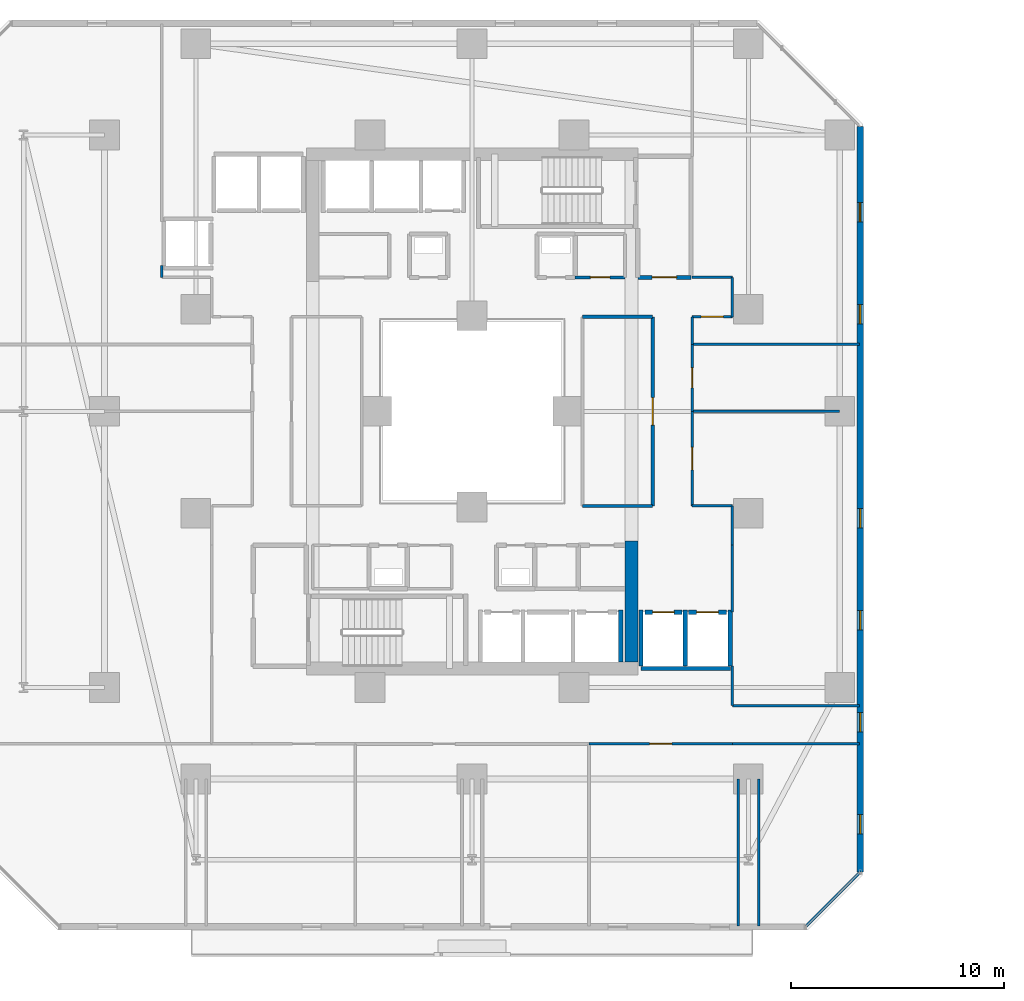
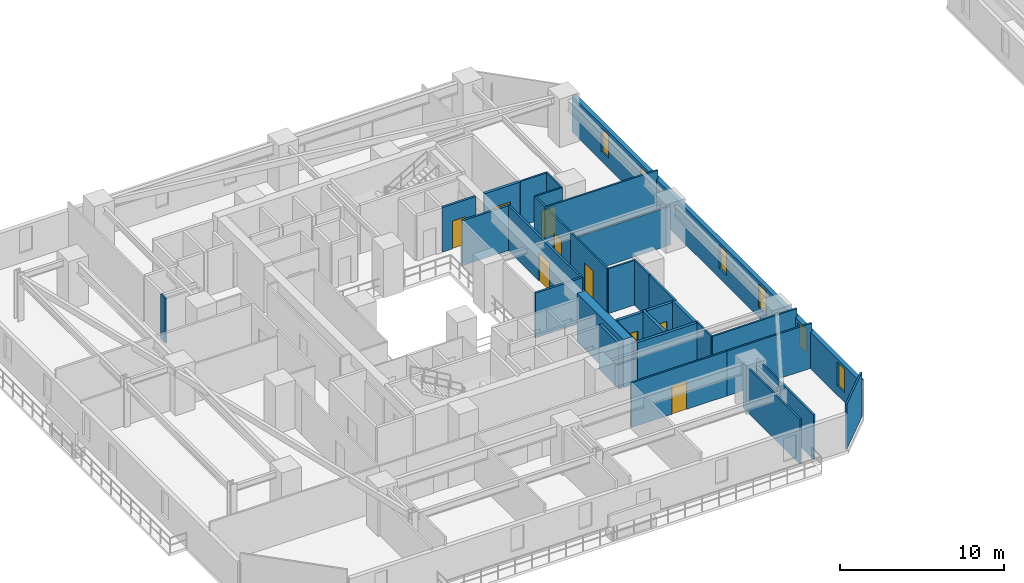
# One storey, part 20 of 33: 33 walls, 9 doors, 6 windows, 15 openings.
"""IFC4 building model written with IfcOpenShell, lengths in metres."""

import ifcopenshell
import ifcopenshell.guid

model = None  # the IFC model being written
_history = None  # IfcOwnerHistory: only IFC2X3 demands one
_inside = {}  # id of a spatial element -> (the spatial element, [elements in it])
_under = {}  # id of a project, library or spatial element -> (it, [spatial elements below it])
_declared = {}  # id of a project -> (the project, [libraries it declares])
_typed = {}  # id of a type object -> (the type object, [elements of that type])
_made_of = {}  # id of a material, layer set ... -> (it, [elements and type objects made of it])


def new_model(schema):
    """Start an empty IFC model of exactly this schema.

    Asked for "IFC4X3", IfcOpenShell would pick the latest addendum, in which some entities
    have other attributes; the version numbers below select the first issue.
    IFC2X3 requires an IfcOwnerHistory on every rooted entity: one is made here for all.
    """
    global model, _history
    if schema == "IFC4X3":
        model = ifcopenshell.file(schema_version=(4, 3, 0, 0))
    else:
        model = ifcopenshell.file(schema=schema)
    _inside.clear()
    _under.clear()
    _declared.clear()
    _typed.clear()
    _made_of.clear()
    _history = None
    if model.schema == "IFC2X3":
        org = make("IfcOrganization", Name="unknown")
        user = make(
            "IfcPersonAndOrganization",
            ThePerson=make("IfcPerson", FamilyName="unknown"),
            TheOrganization=org,
        )
        app = make(
            "IfcApplication",
            ApplicationDeveloper=org,
            Version="unknown",
            ApplicationFullName="unknown",
            ApplicationIdentifier="unknown",
        )
        _history = make(
            "IfcOwnerHistory",
            OwningUser=user,
            OwningApplication=app,
            ChangeAction="ADDED",
            CreationDate=0,
        )
    return model


def make(cls, **values):
    """One entity of the class cls with the attributes given. An attribute that is None is left unset."""
    return model.create_entity(
        cls, **{name: value for name, value in values.items() if value is not None}
    )


def rooted(cls, **values):
    """An entity with a GlobalId (a new one), such as an element, a storey or a relation."""
    return make(cls, GlobalId=ifcopenshell.guid.new(), OwnerHistory=_history, **values)


def si_unit(unit_type, name, prefix=None):
    """IfcSIUnit, for example si_unit("LENGTHUNIT", "METRE", prefix="MILLI")."""
    return make("IfcSIUnit", UnitType=unit_type, Prefix=prefix, Name=name)


def assignment(units):
    """IfcUnitAssignment: the units of a project."""
    return None if units is None else make("IfcUnitAssignment", Units=units)


def point(xyz):
    """IfcCartesianPoint."""
    return None if xyz is None else make("IfcCartesianPoint", Coordinates=xyz)


def direction(xyz):
    """IfcDirection."""
    return None if xyz is None else make("IfcDirection", DirectionRatios=xyz)


def frame(location, z_axis=None, x_axis=None):
    """IfcAxis2Placement3D, a coordinate frame: its origin and axes. An axis left out is left unset."""
    return make(
        "IfcAxis2Placement3D",
        Location=point(location),
        Axis=direction(z_axis),
        RefDirection=direction(x_axis),
    )


def frame_2d(location, x_axis=None):
    """IfcAxis2Placement2D, a coordinate frame in the plane: its origin and x axis."""
    return make(
        "IfcAxis2Placement2D", Location=point(location), RefDirection=direction(x_axis)
    )


def origin():
    """The frame at (0, 0, 0) with its axes left unset."""
    return frame((0.0, 0.0, 0.0))


def place(relative_to, where):
    """IfcLocalPlacement: puts the frame where relative to a parent placement (None: the world)."""
    return make(
        "IfcLocalPlacement", PlacementRelTo=relative_to, RelativePlacement=where
    )


def context(
    kind, dimensions, precision=None, world=None, true_north=None, identifier=None
):
    """IfcGeometricRepresentationContext, for example the 3D "Model" context."""
    return make(
        "IfcGeometricRepresentationContext",
        ContextIdentifier=identifier,
        ContextType=kind,
        CoordinateSpaceDimension=dimensions,
        Precision=precision,
        WorldCoordinateSystem=world,
        TrueNorth=true_north,
    )


def subcontext(parent, identifier, kind, view, scale=None):
    """IfcGeometricRepresentationSubContext, for example "Body" below "Model"."""
    return make(
        "IfcGeometricRepresentationSubContext",
        ContextIdentifier=identifier,
        ContextType=kind,
        ParentContext=parent,
        TargetScale=scale,
        TargetView=view,
    )


def project(units=None, contexts=None):
    """IfcProject with its units and contexts."""
    return rooted(
        "IfcProject",
        Name="project",
        RepresentationContexts=contexts,
        UnitsInContext=assignment(units),
    )


def spatial(cls, under=None, at=None, **own):
    """A site, building, storey or space (cls), placed at a placement, below another one or the project."""
    s = rooted(cls, ObjectPlacement=at, **own)
    if under is not None:
        _under.setdefault(under.id(), (under, []))[1].append(s)
    return s


def profile(cls, at=None, kind="AREA", **sizes):
    """A parametric profile (cls). Its sizes go by their IFC names, for example OverallWidth=200.0."""
    return make(cls, ProfileType=kind, Position=at, **sizes)


def rectangle(**sizes):
    """IfcRectangleProfileDef."""
    return profile("IfcRectangleProfileDef", **sizes)


def extrude(swept, where, along, depth):
    """IfcExtrudedAreaSolid: the profile swept, set in the frame where, extruded along a direction by depth."""
    return make(
        "IfcExtrudedAreaSolid",
        SweptArea=swept,
        Position=where,
        ExtrudedDirection=direction(along),
        Depth=depth,
    )


def shape(context_of_items, identifier, shape_type, items):
    """IfcShapeRepresentation: the items that make up one representation, for example the "Body"."""
    return make(
        "IfcShapeRepresentation",
        ContextOfItems=context_of_items,
        RepresentationIdentifier=identifier,
        RepresentationType=shape_type,
        Items=items,
    )


def material(Name=None, Category=None):
    """IfcMaterial."""
    return make("IfcMaterial", Name=Name, Category=Category)


def layer(
    of_material, thickness, ventilated=None, Name=None, Category=None, Priority=None
):
    """IfcMaterialLayer: one layer of a wall or slab, of a material (None: an air gap)."""
    return make(
        "IfcMaterialLayer",
        Material=of_material,
        LayerThickness=thickness,
        IsVentilated=ventilated,
        Name=Name,
        Category=Category,
        Priority=Priority,
    )


def layer_set(layers, Name=None):
    """IfcMaterialLayerSet."""
    return make("IfcMaterialLayerSet", MaterialLayers=layers, LayerSetName=Name)


def made_of(thing, what):
    """Note that an element or type object is made of a material, layer set ...; save() writes the relation."""
    if what is not None:
        _made_of.setdefault(what.id(), (what, []))[1].append(thing)
    return thing


def type_object(cls, material=None, **own):
    """A type object (cls), such as IfcWallType, which elements share."""
    return made_of(rooted(cls, **own), material)


def element(
    cls,
    number,
    at=None,
    inside=None,
    cuts=None,
    type_object=None,
    material=None,
    context=None,
    identifier="Body",
    shape_type=None,
    held_by="IfcProductDefinitionShape",
    body=None,
    shapes=None,
    **own,
):
    """One element of the class cls, such as IfcWall. Its Tag is "e" and its number.

    at: its placement. inside: the storey or other place that contains it. cuts: it is an
    opening in that element (IfcRelVoidsElement). A single representation is given by context,
    identifier, shape_type and body (its items); several are given by shapes. held_by: the class
    of the entity that holds the representations. save() writes the other relations.
    """
    e = rooted(cls, Tag="e%d" % number, ObjectPlacement=at, **own)
    if body is not None:
        shapes = [shape(context, identifier, shape_type, body)]
    if shapes is not None:
        e.Representation = make(held_by, Representations=shapes)
    if inside is not None:
        _inside.setdefault(inside.id(), (inside, []))[1].append(e)
    if cuts is not None:
        rooted(
            "IfcRelVoidsElement", RelatingBuildingElement=cuts, RelatedOpeningElement=e
        )
    if type_object is not None:
        _typed.setdefault(type_object.id(), (type_object, []))[1].append(e)
    return made_of(e, material)


def fill(opening, filler):
    """IfcRelFillsElement: the door or window that sits in an opening."""
    return rooted(
        "IfcRelFillsElement",
        RelatingOpeningElement=opening,
        RelatedBuildingElement=filler,
    )


def aggregate(whole, parts):
    """IfcRelAggregates: a whole, such as a stair, and the parts it consists of."""
    return rooted("IfcRelAggregates", RelatingObject=whole, RelatedObjects=parts)


def save(model, path):
    """Write the relations noted so far, then the file.

    IfcRelAggregates (storeys below a building ...), IfcRelContainedInSpatialStructure (elements
    in a storey), IfcRelDefinesByType, IfcRelAssociatesMaterial and IfcRelDeclares: one each for
    every whole, place, type object, material and project.
    """
    for whole, parts in _under.values():
        aggregate(whole, parts)
    for where, things in _inside.values():
        rooted(
            "IfcRelContainedInSpatialStructure",
            RelatedElements=things,
            RelatingStructure=where,
        )
    for kind, things in _typed.values():
        rooted("IfcRelDefinesByType", RelatedObjects=things, RelatingType=kind)
    for what, things in _made_of.values():
        rooted("IfcRelAssociatesMaterial", RelatedObjects=things, RelatingMaterial=what)
    for by, libraries in _declared.values():
        rooted("IfcRelDeclares", RelatingContext=by, RelatedDefinitions=libraries)
    model.write(path)


model = new_model("IFC4")

# Units and contexts
model_context = context("Model", 3, precision=1e-05, world=origin(), true_north=direction((0.0, 1.0)))
body_context = subcontext(model_context, "Body", "Model", "MODEL_VIEW")
ifc_project = project(units=[si_unit("LENGTHUNIT", "METRE"), si_unit("AREAUNIT", "SQUARE_METRE"), si_unit("VOLUMEUNIT", "CUBIC_METRE"), si_unit("PLANEANGLEUNIT", "RADIAN"), si_unit("MASSUNIT", "GRAM", prefix="KILO")], contexts=[model_context])

# Site, building, storey
site_placement = place(None, origin())
site = spatial("IfcSite", under=ifc_project, at=site_placement, CompositionType="ELEMENT")
building_placement = place(site_placement, origin())
building = spatial("IfcBuilding", under=site, at=building_placement, Name="Thornwick Lancets Civic Towers", CompositionType="ELEMENT")
storey_placement = place(building_placement, frame((0.0, 0.0, 42.300048828125)))
storey = spatial("IfcBuildingStorey", under=building, at=storey_placement, Name="L10", CompositionType="ELEMENT", Elevation=42.300048828125)

# Wall, opening, door
ifc_material_1 = material(Name="Concrete blockwork C40/50", Category="masonry")
ifc_layer_1 = layer(ifc_material_1, 0.199951171875, Name="Concrete blockwork C40/50")
ifc_layer_set_1 = layer_set([ifc_layer_1], Name="Concrete blockwork C40/50")
wall_type_1 = type_object("IfcWallType", Name="WALL_COMP_200", PredefinedType="STANDARD", material=ifc_layer_set_1)
wall_1_placement = place(storey_placement, frame((33.6298828125, 17.550048828125, 0.0), z_axis=(0.0, 0.0, 1.0), x_axis=(1.0, 0.0, 0.0)))
wall_1 = element("IfcWall", 1, at=wall_1_placement, inside=storey, type_object=wall_type_1, Name="L10 Hoistway Front Wall PL-AL2", PredefinedType="STANDARD", context=body_context, shape_type="SweptSolid", body=[
    extrude(rectangle(XDim=1.740234375, YDim=0.199951171875, at=frame_2d((0.8701171875, 0.0))), origin(), (0.0, 0.0, 1.0), 3.33984375),
])
opening_1_placement = place(wall_1_placement, frame((0.360107421875, 0.0, 0.0)))
opening_1 = element("IfcOpeningElement", 2, at=opening_1_placement, cuts=wall_1, Name="Opening LD-PL-AL2", PredefinedType="OPENING", context=body_context, shape_type="SweptSolid", body=[
    extrude(rectangle(XDim=1.02001953125, YDim=2.06005859375, at=frame_2d((0.510009765625, 1.030029296875))), frame((0.0, 0.10986328125, 0.0), z_axis=(0.0, -1.0, 0.0), x_axis=(1.0, 0.0, 0.0)), (0.0, 0.0, 1.0), 0.219970703125),
])
ifc_material_2 = material(Name="Brushed bronze stainless steel", Category="steel")
door_type_1 = type_object("IfcDoorType", Name="DOOR_LIFT_SLIDE", OperationType="SLIDING_TO_LEFT", PredefinedType="DOOR", material=ifc_material_2)
door_1_placement = place(opening_1_placement, origin())
door_1 = element("IfcDoor", 3, at=door_1_placement, inside=storey, type_object=door_type_1, Name="L10 Sliding Lift Landing Door LD-PL-AL2", OperationType="SLIDING_TO_LEFT", OverallHeight=2.06005859375, OverallWidth=1.02001953125, PredefinedType="DOOR", context=body_context, shape_type="SweptSolid", body=[
    extrude(rectangle(XDim=1.02001953125, YDim=2.06005859375, at=frame_2d((0.510009765625, 1.030029296875))), frame((0.0, 0.02490234375, 0.0), z_axis=(0.0, -1.0, 0.0), x_axis=(1.0, 0.0, 0.0)), (0.0, 0.0, 1.0), 0.050048828125),
])
fill(opening_1, door_1)

wall_2_placement = place(storey_placement, frame((35.679931640625, 17.550048828125, 0.0), z_axis=(0.0, 0.0, 1.0), x_axis=(1.0, 0.0, 0.0)))
wall_2 = element("IfcWall", 4, at=wall_2_placement, inside=storey, type_object=wall_type_1, Name="L10 Hoistway Front Wall PL-AL3", PredefinedType="STANDARD", context=body_context, shape_type="SweptSolid", body=[
    extrude(rectangle(XDim=1.7900390625, YDim=0.199951171875, at=frame_2d((0.89501953125, 0.0))), origin(), (0.0, 0.0, 1.0), 3.33984375),
])
opening_2_placement = place(wall_2_placement, frame((0.385009765625, 0.0, 0.0)))
opening_2 = element("IfcOpeningElement", 5, at=opening_2_placement, cuts=wall_2, Name="Opening LD-PL-AL3", PredefinedType="OPENING", context=body_context, shape_type="SweptSolid", body=[
    extrude(rectangle(XDim=1.02001953125, YDim=2.06005859375, at=frame_2d((0.510009765625, 1.030029296875))), frame((0.0, 0.10986328125, 0.0), z_axis=(0.0, -1.0, 0.0), x_axis=(1.0, 0.0, 0.0)), (0.0, 0.0, 1.0), 0.219970703125),
])
door_2_placement = place(opening_2_placement, origin())
door_2 = element("IfcDoor", 6, at=door_2_placement, inside=storey, type_object=door_type_1, Name="L10 Sliding Lift Landing Door LD-PL-AL3", OperationType="SLIDING_TO_LEFT", OverallHeight=2.06005859375, OverallWidth=1.02001953125, PredefinedType="DOOR", context=body_context, shape_type="SweptSolid", body=[
    extrude(rectangle(XDim=1.02001953125, YDim=2.06005859375, at=frame_2d((0.510009765625, 1.030029296875))), frame((0.0, 0.02490234375, 0.0), z_axis=(0.0, -1.0, 0.0), x_axis=(1.0, 0.0, 0.0)), (0.0, 0.0, 1.0), 0.050048828125),
])
fill(opening_2, door_2)

# Walls
wall_3_placement = place(storey_placement, frame((32.5, 15.2119140625, 0.0), z_axis=(0.0, 0.0, 1.0), x_axis=(0.0, 1.0, 0.0)))
element("IfcWall", 7, at=wall_3_placement, inside=storey, type_object=wall_type_1, Name="L10 Hoistway Shaft Wall PL-AL1 E", PredefinedType="STANDARD", context=body_context, shape_type="SweptSolid", body=[
    extrude(rectangle(XDim=2.43603515625, YDim=0.199951171875, at=frame_2d((1.218017578125, 0.0))), origin(), (0.0, 0.0, 1.0), 3.33984375),
])
wall_4_placement = place(storey_placement, frame((33.451904296875, 14.89990234375, 0.0), z_axis=(0.0, 0.0, 1.0), x_axis=(1.0, 0.0, 0.0)))
element("IfcWall", 8, at=wall_4_placement, inside=storey, type_object=wall_type_1, Name="L10 Hoistway Shaft Wall PL-AL2 S", PredefinedType="STANDARD", context=body_context, shape_type="SweptSolid", body=[
    extrude(rectangle(XDim=4.196044921875, YDim=0.199951171875, at=frame_2d((2.09814453125, 0.0))), origin(), (0.0, 0.0, 1.0), 3.33984375),
])
for number, where, z_axis, x_axis, name in (
    (9, (35.52490234375, 15.011962890625, 0.0), (0.0, 0.0, 1.0), (0.0, 1.0, 0.0), "L10 Hoistway Shaft Wall PL-AL2 E"),
    (10, (33.449951171875, 15.011962890625, 0.0), (0.0, 0.0, 1.0), (0.0, 1.0, 0.0), "L10 Hoistway Shaft Wall PL-AL2 W"),
    (11, (37.64990234375, 15.011962890625, 0.0), (0.0, 0.0, 1.0), (0.0, 1.0, 0.0), "L10 Hoistway Shaft Wall PL-AL3 E"),
):
    element("IfcWall", number, at=place(storey_placement, frame(where, z_axis=z_axis, x_axis=x_axis)), inside=storey, type_object=wall_type_1, Name=name, PredefinedType="STANDARD", context=body_context, shape_type="SweptSolid", body=[
        extrude(rectangle(XDim=2.635986328125, YDim=0.199951171875, at=frame_2d((1.31787109375, 0.0))), origin(), (0.0, 0.0, 1.0), 3.33984375),
    ])

# Wall, opening, door
wall_5_placement = place(storey_placement, frame((33.300048828125, 33.300048828125, 0.0), z_axis=(0.0, 0.0, 1.0), x_axis=(1.0, 0.0, 0.0)))
wall_5 = element("IfcWall", 12, at=wall_5_placement, inside=storey, type_object=wall_type_1, Name="L10 Partition L10-A-FFLOB2 E1", PredefinedType="STANDARD", context=body_context, shape_type="SweptSolid", body=[
    extrude(rectangle(XDim=2.5, YDim=0.199951171875, at=frame_2d((1.25, 0.0))), origin(), (0.0, 0.0, 1.0), 3.33984375),
])
opening_3_placement = place(wall_5_placement, frame((0.675048828125, 0.0, 0.0)))
opening_3 = element("IfcOpeningElement", 13, at=opening_3_placement, cuts=wall_5, Name="Opening D-L10-0488", PredefinedType="OPENING", context=body_context, shape_type="SweptSolid", body=[
    extrude(rectangle(XDim=1.14990234375, YDim=2.10009765625, at=frame_2d((0.574951171875, 1.050048828125))), frame((0.0, 0.10986328125, 0.0), z_axis=(0.0, -1.0, 0.0), x_axis=(1.0, 0.0, 0.0)), (0.0, 0.0, 1.0), 0.219970703125),
])
ifc_material_3 = material(Name="Glazed fire-resisting steel", Category="steel")
door_type_2 = type_object("IfcDoorType", Name="DOOR_LOBBY_FD60", OperationType="NOTDEFINED", PredefinedType="DOOR", material=ifc_material_3)
door_3_placement = place(opening_3_placement, origin())
door_3 = element("IfcDoor", 14, at=door_3_placement, inside=storey, type_object=door_type_2, Name="L10 North Firefighting Lobby 2 Door", OperationType="SINGLE_SWING_LEFT", OverallHeight=2.10009765625, OverallWidth=1.14990234375, PredefinedType="DOOR", context=body_context, shape_type="SweptSolid", body=[
    extrude(rectangle(XDim=1.14990234375, YDim=2.10009765625, at=frame_2d((0.574951171875, 1.050048828125))), frame((0.0, 0.02490234375, 0.0), z_axis=(0.0, -1.0, 0.0), x_axis=(1.0, 0.0, 0.0)), (0.0, 0.0, 1.0), 0.050048828125),
])
fill(opening_3, door_3)

# Wall
ifc_material_4 = material(Name="Concrete C60/75", Category="concrete")
ifc_layer_2 = layer(ifc_material_4, 0.60009765625, Name="Concrete C60/75")
ifc_layer_set_2 = layer_set([ifc_layer_2], Name="Concrete C60/75")
wall_type_2 = type_object("IfcWallType", Name="WALL_CORE_600", PredefinedType="SHEAR", material=ifc_layer_set_2)
wall_6_placement = place(storey_placement, frame((33.0, 15.199951171875, 0.0), z_axis=(0.0, 0.0, 1.0), x_axis=(0.0, 1.0, 0.0)))
element("IfcWall", 15, at=wall_6_placement, inside=storey, type_object=wall_type_2, Name="L10 Split Core A1 Shear Wall E", PredefinedType="SHEAR", context=body_context, shape_type="SweptSolid", body=[
    extrude(rectangle(XDim=5.699951171875, YDim=0.60009765625, at=frame_2d((2.85009765625, 0.0))), origin(), (0.0, 0.0, 1.0), 3.599853515625),
])

# Wall, openings, windows
ifc_material_5 = material(Name="Insulated russet terracotta rainscreen on concrete C40/50", Category="masonry")
ifc_layer_3 = layer(ifc_material_5, 0.300048828125, Name="Insulated russet terracotta rainscreen on concrete C40/50")
ifc_layer_set_3 = layer_set([ifc_layer_3], Name="Insulated russet terracotta rainscreen on concrete C40/50")
wall_type_3 = type_object("IfcWallType", Name="WALL_EXT_RUSSET_300", PredefinedType="STANDARD", material=ifc_layer_set_3)
wall_7_placement = place(storey_placement, frame((43.764892578125, 5.31884765625, 0.0), z_axis=(0.0, 0.0, 1.0), x_axis=(-0.000208784245, 0.999999978205, 0.0)))
wall_7 = element("IfcWall", 16, at=wall_7_placement, inside=storey, type_object=wall_type_3, Name="L10 Tower A Terracotta Facade Wall E2", PredefinedType="STANDARD", context=body_context, shape_type="SweptSolid", body=[
    extrude(rectangle(XDim=35.080322265625, YDim=0.300048828125, at=frame_2d((17.5400390625, 0.0))), origin(), (0.0, 0.0, 1.0), 2.699951171875),
])
opening_4_placement = place(wall_7_placement, frame((1.800048828125, 0.0, 0.719970703125)))
opening_4 = element("IfcOpeningElement", 17, at=opening_4_placement, cuts=wall_7, Name="Opening WL-01", PredefinedType="OPENING", context=body_context, shape_type="SweptSolid", body=[
    extrude(rectangle(XDim=0.89990234375, YDim=1.75, at=frame_2d((0.449951171875, 0.875))), frame((0.0, 0.16015625, 0.0), z_axis=(0.0, -1.0, 0.0), x_axis=(1.0, 0.0, 0.0)), (0.0, 0.0, 1.0), 0.320068359375),
])
opening_5_placement = place(wall_7_placement, frame((6.60009765625, 0.0, 0.719970703125)))
opening_5 = element("IfcOpeningElement", 18, at=opening_5_placement, cuts=wall_7, Name="Opening WL-01", PredefinedType="OPENING", context=body_context, shape_type="SweptSolid", body=[
    extrude(rectangle(XDim=0.89990234375, YDim=1.75, at=frame_2d((0.449951171875, 0.875))), frame((0.0, 0.16015625, 0.0), z_axis=(0.0, -1.0, 0.0), x_axis=(1.0, 0.0, 0.0)), (0.0, 0.0, 1.0), 0.320068359375),
])
opening_6_placement = place(wall_7_placement, frame((11.39990234375, 0.0, 0.719970703125)))
opening_6 = element("IfcOpeningElement", 19, at=opening_6_placement, cuts=wall_7, Name="Opening WL-01", PredefinedType="OPENING", context=body_context, shape_type="SweptSolid", body=[
    extrude(rectangle(XDim=0.89990234375, YDim=1.75, at=frame_2d((0.449951171875, 0.875))), frame((0.0, 0.16015625, 0.0), z_axis=(0.0, -1.0, 0.0), x_axis=(1.0, 0.0, 0.0)), (0.0, 0.0, 1.0), 0.320068359375),
])
opening_7_placement = place(wall_7_placement, frame((16.199951171875, 0.0, 0.719970703125)))
opening_7 = element("IfcOpeningElement", 20, at=opening_7_placement, cuts=wall_7, Name="Opening WL-01", PredefinedType="OPENING", context=body_context, shape_type="SweptSolid", body=[
    extrude(rectangle(XDim=0.89990234375, YDim=1.75, at=frame_2d((0.449951171875, 0.875))), frame((0.0, 0.16015625, 0.0), z_axis=(0.0, -1.0, 0.0), x_axis=(1.0, 0.0, 0.0)), (0.0, 0.0, 1.0), 0.320068359375),
])
opening_8_placement = place(wall_7_placement, frame((25.800048828125, 0.0, 0.719970703125)))
opening_8 = element("IfcOpeningElement", 21, at=opening_8_placement, cuts=wall_7, Name="Opening WL-01", PredefinedType="OPENING", context=body_context, shape_type="SweptSolid", body=[
    extrude(rectangle(XDim=0.89990234375, YDim=1.75, at=frame_2d((0.449951171875, 0.875))), frame((0.0, 0.16015625, 0.0), z_axis=(0.0, -1.0, 0.0), x_axis=(1.0, 0.0, 0.0)), (0.0, 0.0, 1.0), 0.320068359375),
])
opening_9_placement = place(wall_7_placement, frame((30.60009765625, 0.0, 0.719970703125)))
opening_9 = element("IfcOpeningElement", 22, at=opening_9_placement, cuts=wall_7, Name="Opening WL-01", PredefinedType="OPENING", context=body_context, shape_type="SweptSolid", body=[
    extrude(rectangle(XDim=0.89990234375, YDim=1.75, at=frame_2d((0.449951171875, 0.875))), frame((0.0, 0.16015625, 0.0), z_axis=(0.0, -1.0, 0.0), x_axis=(1.0, 0.0, 0.0)), (0.0, 0.0, 1.0), 0.320068359375),
])
ifc_material_6 = material(Name="Clear low-e double glazing in bronze frame", Category="glass")
window_type = type_object("IfcWindowType", Name="WIN_LANCET_900", PartitioningType="SINGLE_PANEL", PredefinedType="WINDOW", material=ifc_material_6)
window_1_placement = place(opening_4_placement, origin())
window_1 = element("IfcWindow", 23, at=window_1_placement, inside=storey, type_object=window_type, Name="L10 Tower A Staggered Lancet Window E2-1", OverallHeight=1.75, OverallWidth=0.89990234375, PartitioningType="SINGLE_PANEL", PredefinedType="WINDOW", context=body_context, shape_type="SweptSolid", body=[
    extrude(rectangle(XDim=0.89990234375, YDim=1.75, at=frame_2d((0.449951171875, 0.875))), frame((0.0, 0.030029296875, 0.0), z_axis=(0.0, -1.0, 0.0), x_axis=(1.0, 0.0, 0.0)), (0.0, 0.0, 1.0), 0.06005859375),
])
fill(opening_4, window_1)
window_2_placement = place(opening_5_placement, origin())
window_2 = element("IfcWindow", 24, at=window_2_placement, inside=storey, type_object=window_type, Name="L10 Tower A Staggered Lancet Window E2-2", OverallHeight=1.75, OverallWidth=0.89990234375, PartitioningType="SINGLE_PANEL", PredefinedType="WINDOW", context=body_context, shape_type="SweptSolid", body=[
    extrude(rectangle(XDim=0.89990234375, YDim=1.75, at=frame_2d((0.449951171875, 0.875))), frame((0.0, 0.030029296875, 0.0), z_axis=(0.0, -1.0, 0.0), x_axis=(1.0, 0.0, 0.0)), (0.0, 0.0, 1.0), 0.06005859375),
])
fill(opening_5, window_2)
window_3_placement = place(opening_6_placement, origin())
window_3 = element("IfcWindow", 25, at=window_3_placement, inside=storey, type_object=window_type, Name="L10 Tower A Staggered Lancet Window E2-3", OverallHeight=1.75, OverallWidth=0.89990234375, PartitioningType="SINGLE_PANEL", PredefinedType="WINDOW", context=body_context, shape_type="SweptSolid", body=[
    extrude(rectangle(XDim=0.89990234375, YDim=1.75, at=frame_2d((0.449951171875, 0.875))), frame((0.0, 0.030029296875, 0.0), z_axis=(0.0, -1.0, 0.0), x_axis=(1.0, 0.0, 0.0)), (0.0, 0.0, 1.0), 0.06005859375),
])
fill(opening_6, window_3)
window_4_placement = place(opening_7_placement, origin())
window_4 = element("IfcWindow", 26, at=window_4_placement, inside=storey, type_object=window_type, Name="L10 Tower A Staggered Lancet Window E2-4", OverallHeight=1.75, OverallWidth=0.89990234375, PartitioningType="SINGLE_PANEL", PredefinedType="WINDOW", context=body_context, shape_type="SweptSolid", body=[
    extrude(rectangle(XDim=0.89990234375, YDim=1.75, at=frame_2d((0.449951171875, 0.875))), frame((0.0, 0.030029296875, 0.0), z_axis=(0.0, -1.0, 0.0), x_axis=(1.0, 0.0, 0.0)), (0.0, 0.0, 1.0), 0.06005859375),
])
fill(opening_7, window_4)
window_5_placement = place(opening_8_placement, origin())
window_5 = element("IfcWindow", 27, at=window_5_placement, inside=storey, type_object=window_type, Name="L10 Tower A Staggered Lancet Window E2-5", OverallHeight=1.75, OverallWidth=0.89990234375, PartitioningType="SINGLE_PANEL", PredefinedType="WINDOW", context=body_context, shape_type="SweptSolid", body=[
    extrude(rectangle(XDim=0.89990234375, YDim=1.75, at=frame_2d((0.449951171875, 0.875))), frame((0.0, 0.030029296875, 0.0), z_axis=(0.0, -1.0, 0.0), x_axis=(1.0, 0.0, 0.0)), (0.0, 0.0, 1.0), 0.06005859375),
])
fill(opening_8, window_5)
window_6_placement = place(opening_9_placement, origin())
window_6 = element("IfcWindow", 28, at=window_6_placement, inside=storey, type_object=window_type, Name="L10 Tower A Staggered Lancet Window E2-6", OverallHeight=1.75, OverallWidth=0.89990234375, PartitioningType="SINGLE_PANEL", PredefinedType="WINDOW", context=body_context, shape_type="SweptSolid", body=[
    extrude(rectangle(XDim=0.89990234375, YDim=1.75, at=frame_2d((0.449951171875, 0.875))), frame((0.0, 0.030029296875, 0.0), z_axis=(0.0, -1.0, 0.0), x_axis=(1.0, 0.0, 0.0)), (0.0, 0.0, 1.0), 0.06005859375),
])
fill(opening_9, window_6)

# Walls
ifc_material_7 = material(Name="Acoustic gypsum board partition")
ifc_layer_4 = layer(ifc_material_7, 0.1201171875, Name="Acoustic gypsum board partition")
ifc_layer_set_4 = layer_set([ifc_layer_4], Name="Acoustic gypsum board partition")
wall_type_4 = type_object("IfcWallType", Name="WALL_PART_120", PredefinedType="PARTITIONING", material=ifc_layer_set_4)
wall_8_placement = place(storey_placement, frame((10.89990234375, 33.862060546875, 0.0), z_axis=(0.0, 0.0, 1.0), x_axis=(0.0, -1.0, 0.0)))
element("IfcWall", 29, at=wall_8_placement, inside=storey, type_object=wall_type_4, Name="L10 Partition L10-A-W3 E9", PredefinedType="PARTITIONING", context=body_context, shape_type="SweptSolid", body=[
    extrude(rectangle(XDim=0.56201171875, YDim=0.1201171875, at=frame_2d((0.281005859375, 0.0))), origin(), (0.0, 0.0, 1.0), 3.33984375),
])
wall_9_placement = place(storey_placement, frame((37.75, 17.550048828125, 0.0), z_axis=(0.0, 0.0, 1.0), x_axis=(0.0, 1.0, 0.0)))
element("IfcWall", 30, at=wall_9_placement, inside=storey, type_object=wall_type_4, Name="L10 Partition L10-A-E1 E1", PredefinedType="PARTITIONING", context=body_context, shape_type="SweptSolid", body=[
    extrude(rectangle(XDim=3.14990234375, YDim=0.1201171875, at=frame_2d((1.574951171875, 0.0))), origin(), (0.0, 0.0, 1.0), 3.33984375),
])
wall_10_placement = place(storey_placement, frame((37.75, 20.699951171875, 0.0), z_axis=(0.0, 0.0, 1.0), x_axis=(0.0, 1.0, 0.0)))
element("IfcWall", 31, at=wall_10_placement, inside=storey, type_object=wall_type_4, Name="L10 Partition L10-A-E1 E2", PredefinedType="PARTITIONING", context=body_context, shape_type="SweptSolid", body=[
    extrude(rectangle(XDim=1.85009765625, YDim=0.1201171875, at=frame_2d((0.925048828125, 0.0))), origin(), (0.0, 0.0, 1.0), 3.33984375),
])
wall_11_placement = place(storey_placement, frame((37.75, 22.550048828125, 0.0), z_axis=(0.0, 0.0, 1.0), x_axis=(-1.0, 0.0, 0.0)))
element("IfcWall", 32, at=wall_11_placement, inside=storey, type_object=wall_type_4, Name="L10 Partition L10-A-E1 E3", PredefinedType="PARTITIONING", context=body_context, shape_type="SweptSolid", body=[
    extrude(rectangle(XDim=1.89990234375, YDim=0.1201171875, at=frame_2d((0.949951171875, 0.0))), origin(), (0.0, 0.0, 1.0), 3.33984375),
])

# Wall, opening, door
wall_12_placement = place(storey_placement, frame((35.85009765625, 22.550048828125, 0.0), z_axis=(0.0, 0.0, 1.0), x_axis=(0.0, 1.0, 0.0)))
wall_12 = element("IfcWall", 33, at=wall_12_placement, inside=storey, type_object=wall_type_4, Name="L10 Partition L10-A-E1 E4", PredefinedType="PARTITIONING", context=body_context, shape_type="SweptSolid", body=[
    extrude(rectangle(XDim=4.449951171875, YDim=0.1201171875, at=frame_2d((2.22509765625, 0.0))), origin(), (0.0, 0.0, 1.0), 3.33984375),
])
opening_10_placement = place(wall_12_placement, frame((1.699951171875, 0.0, 0.0)))
opening_10 = element("IfcOpeningElement", 34, at=opening_10_placement, cuts=wall_12, Name="Opening D-L10-0514", PredefinedType="OPENING", context=body_context, shape_type="SweptSolid", body=[
    extrude(rectangle(XDim=1.050048828125, YDim=2.10009765625, at=frame_2d((0.52490234375, 1.050048828125))), frame((0.0, 0.070068359375, 0.0), z_axis=(0.0, -1.0, 0.0), x_axis=(1.0, 0.0, 0.0)), (0.0, 0.0, 1.0), 0.14013671875),
])
ifc_material_8 = material(Name="Glazed European oak executive doorset")
door_type_3 = type_object("IfcDoorType", Name="DOOR_OFFICE_1050", OperationType="NOTDEFINED", PredefinedType="DOOR", material=ifc_material_8)
door_4_placement = place(opening_10_placement, origin())
door_4 = element("IfcDoor", 35, at=door_4_placement, inside=storey, type_object=door_type_3, Name="L10 Tower A Secretariat Open Office E1 Door", OperationType="SINGLE_SWING_LEFT", OverallHeight=2.10009765625, OverallWidth=1.050048828125, PredefinedType="DOOR", context=body_context, shape_type="SweptSolid", body=[
    extrude(rectangle(XDim=1.050048828125, YDim=2.10009765625, at=frame_2d((0.52490234375, 1.050048828125))), frame((0.0, 0.02490234375, 0.0), z_axis=(0.0, -1.0, 0.0), x_axis=(1.0, 0.0, 0.0)), (0.0, 0.0, 1.0), 0.050048828125),
])
fill(opening_10, door_4)

# Walls
wall_13_placement = place(storey_placement, frame((35.85009765625, 27.0, 0.0), z_axis=(0.0, 0.0, 1.0), x_axis=(1.0, 0.0, 0.0)))
element("IfcWall", 36, at=wall_13_placement, inside=storey, type_object=wall_type_4, Name="L10 Partition L10-A-E1 E5", PredefinedType="PARTITIONING", context=body_context, shape_type="SweptSolid", body=[
    extrude(rectangle(XDim=6.949951171875, YDim=0.1201171875, at=frame_2d((3.47509765625, 0.0))), origin(), (0.0, 0.0, 1.0), 2.881591796875),
])
wall_14_placement = place(storey_placement, frame((43.719970703125, 13.14990234375, 0.0), z_axis=(0.0, 0.0, 1.0), x_axis=(-1.0, 0.0, 0.0)))
element("IfcWall", 37, at=wall_14_placement, inside=storey, type_object=wall_type_4, Name="L10 Partition L10-A-E1 E13", PredefinedType="PARTITIONING", context=body_context, shape_type="SweptSolid", body=[
    extrude(rectangle(XDim=5.969970703125, YDim=0.1201171875, at=frame_2d((2.98486328125, 0.0))), origin(), (0.0, 0.0, 1.0), 3.33984375),
])
wall_15_placement = place(storey_placement, frame((37.75, 13.14990234375, 0.0), z_axis=(0.0, 0.0, 1.0), x_axis=(0.0, 1.0, 0.0)))
element("IfcWall", 38, at=wall_15_placement, inside=storey, type_object=wall_type_4, Name="L10 Partition L10-A-E1 E14", PredefinedType="PARTITIONING", context=body_context, shape_type="SweptSolid", body=[
    extrude(rectangle(XDim=1.862060546875, YDim=0.1201171875, at=frame_2d((0.93115234375, 0.0))), origin(), (0.0, 0.0, 1.0), 3.33984375),
])

# Wall, opening, door
wall_16_placement = place(storey_placement, frame((35.85009765625, 27.0, 0.0), z_axis=(0.0, 0.0, 1.0), x_axis=(0.0, 1.0, 0.0)))
wall_16 = element("IfcWall", 39, at=wall_16_placement, inside=storey, type_object=wall_type_4, Name="L10 Partition L10-A-E2 E3", PredefinedType="PARTITIONING", context=body_context, shape_type="SweptSolid", body=[
    extrude(rectangle(XDim=3.14990234375, YDim=0.1201171875, at=frame_2d((1.574951171875, 0.0))), origin(), (0.0, 0.0, 1.0), 3.33984375),
])
opening_11_placement = place(wall_16_placement, frame((1.10009765625, 0.0, 0.0)))
opening_11 = element("IfcOpeningElement", 40, at=opening_11_placement, cuts=wall_16, Name="Opening D-L10-0515", PredefinedType="OPENING", context=body_context, shape_type="SweptSolid", body=[
    extrude(rectangle(XDim=0.949951171875, YDim=2.10009765625, at=frame_2d((0.47509765625, 1.050048828125))), frame((0.0, 0.070068359375, 0.0), z_axis=(0.0, -1.0, 0.0), x_axis=(1.0, 0.0, 0.0)), (0.0, 0.0, 1.0), 0.14013671875),
])
ifc_material_9 = material(Name="European oak acoustic doorset")
door_type_4 = type_object("IfcDoorType", Name="DOOR_OFFICE_950", OperationType="NOTDEFINED", PredefinedType="DOOR", material=ifc_material_9)
door_5_placement = place(opening_11_placement, origin())
door_5 = element("IfcDoor", 41, at=door_5_placement, inside=storey, type_object=door_type_4, Name="L10 Tower A Visitors Reception and Waiting Door", OperationType="SINGLE_SWING_RIGHT", OverallHeight=2.10009765625, OverallWidth=0.949951171875, PredefinedType="DOOR", context=body_context, shape_type="SweptSolid", body=[
    extrude(rectangle(XDim=0.949951171875, YDim=2.10009765625, at=frame_2d((0.47509765625, 1.050048828125))), frame((0.0, 0.02490234375, 0.0), z_axis=(0.0, -1.0, 0.0), x_axis=(1.0, 0.0, 0.0)), (0.0, 0.0, 1.0), 0.050048828125),
])
fill(opening_11, door_5)

# Wall
wall_17_placement = place(storey_placement, frame((35.85009765625, 30.14990234375, 0.0), z_axis=(0.0, 0.0, 1.0), x_axis=(1.0, 0.0, 0.0)))
element("IfcWall", 42, at=wall_17_placement, inside=storey, type_object=wall_type_4, Name="L10 Partition L10-A-E2 E4", PredefinedType="PARTITIONING", context=body_context, shape_type="SweptSolid", body=[
    extrude(rectangle(XDim=7.869873046875, YDim=0.1201171875, at=frame_2d((3.93505859375, 0.0))), origin(), (0.0, 0.0, 1.0), 3.33984375),
])

# Wall, opening, door
wall_18_placement = place(storey_placement, frame((35.85009765625, 31.449951171875, 0.0), z_axis=(0.0, 0.0, 1.0), x_axis=(1.0, 0.0, 0.0)))
wall_18 = element("IfcWall", 43, at=wall_18_placement, inside=storey, type_object=wall_type_4, Name="L10 Partition L10-A-E3 E1", PredefinedType="PARTITIONING", context=body_context, shape_type="SweptSolid", body=[
    extrude(rectangle(XDim=1.89990234375, YDim=0.1201171875, at=frame_2d((0.949951171875, 0.0))), origin(), (0.0, 0.0, 1.0), 3.33984375),
])
opening_12_placement = place(wall_18_placement, frame((0.425048828125, 0.0, 0.0)))
opening_12 = element("IfcOpeningElement", 44, at=opening_12_placement, cuts=wall_18, Name="Opening D-L10-0516", PredefinedType="OPENING", context=body_context, shape_type="SweptSolid", body=[
    extrude(rectangle(XDim=1.050048828125, YDim=2.10009765625, at=frame_2d((0.52490234375, 1.050048828125))), frame((0.0, 0.070068359375, 0.0), z_axis=(0.0, -1.0, 0.0), x_axis=(1.0, 0.0, 0.0)), (0.0, 0.0, 1.0), 0.14013671875),
])
door_6_placement = place(opening_12_placement, origin())
door_6 = element("IfcDoor", 45, at=door_6_placement, inside=storey, type_object=door_type_3, Name="L10 Tower A Civic Seminar Room Door", OperationType="SINGLE_SWING_LEFT", OverallHeight=2.10009765625, OverallWidth=1.050048828125, PredefinedType="DOOR", context=body_context, shape_type="SweptSolid", body=[
    extrude(rectangle(XDim=1.050048828125, YDim=2.10009765625, at=frame_2d((0.52490234375, 1.050048828125))), frame((0.0, 0.02490234375, 0.0), z_axis=(0.0, -1.0, 0.0), x_axis=(1.0, 0.0, 0.0)), (0.0, 0.0, 1.0), 0.050048828125),
])
fill(opening_12, door_6)

# Walls
wall_19_placement = place(storey_placement, frame((37.75, 31.449951171875, 0.0), z_axis=(0.0, 0.0, 1.0), x_axis=(0.0, 1.0, 0.0)))
element("IfcWall", 46, at=wall_19_placement, inside=storey, type_object=wall_type_4, Name="L10 Partition L10-A-E3 E2", PredefinedType="PARTITIONING", context=body_context, shape_type="SweptSolid", body=[
    extrude(rectangle(XDim=1.85009765625, YDim=0.1201171875, at=frame_2d((0.925048828125, 0.0))), origin(), (0.0, 0.0, 1.0), 3.33984375),
])
wall_20_placement = place(storey_placement, frame((37.75, 33.300048828125, 0.0), z_axis=(0.0, 0.0, 1.0), x_axis=(-1.0, 0.0, 0.0)))
element("IfcWall", 47, at=wall_20_placement, inside=storey, type_object=wall_type_4, Name="L10 Partition L10-A-E3 E3", PredefinedType="PARTITIONING", context=body_context, shape_type="SweptSolid", body=[
    extrude(rectangle(XDim=1.89990234375, YDim=0.1201171875, at=frame_2d((0.949951171875, 0.0))), origin(), (0.0, 0.0, 1.0), 3.33984375),
])
wall_21_placement = place(storey_placement, frame((35.85009765625, 30.14990234375, 0.0), z_axis=(0.0, 0.0, 1.0), x_axis=(0.0, 1.0, 0.0)))
element("IfcWall", 48, at=wall_21_placement, inside=storey, type_object=wall_type_4, Name="L10 Partition L10-A-E3 E12", PredefinedType="PARTITIONING", context=body_context, shape_type="SweptSolid", body=[
    extrude(rectangle(XDim=1.300048828125, YDim=0.1201171875, at=frame_2d((0.64990234375, 0.0))), origin(), (0.0, 0.0, 1.0), 3.33984375),
])
for number, where, z_axis, x_axis, name in (
    (49, (38.97998046875, 2.780029296875, 0.0), (0.0, 0.0, 1.0), (0.0, 1.0, 0.0), "L10 Partition L10-A-S-OFF2 E2"),
    (50, (38.02001953125, 9.699951171875, 0.0), (0.0, 0.0, 1.0), (0.0, -1.0, 0.0), "L10 Partition L10-A-S-OFF2 E4"),
):
    element("IfcWall", number, at=place(storey_placement, frame(where, z_axis=z_axis, x_axis=x_axis)), inside=storey, type_object=wall_type_4, Name=name, PredefinedType="PARTITIONING", context=body_context, shape_type="SweptSolid", body=[
        extrude(rectangle(XDim=6.919921875, YDim=0.1201171875, at=frame_2d((3.4599609375, 0.0))), origin(), (0.0, 0.0, 1.0), 3.33984375),
    ])

# Wall, opening, door
wall_22_placement = place(storey_placement, frame((31.0, 11.35009765625, 0.0), z_axis=(0.0, 0.0, 1.0), x_axis=(1.0, 0.0, 0.0)))
wall_22 = element("IfcWall", 51, at=wall_22_placement, inside=storey, type_object=wall_type_4, Name="L10 Partition L10-A-S-OFF2 E7", PredefinedType="PARTITIONING", context=body_context, shape_type="SweptSolid", body=[
    extrude(rectangle(XDim=6.75, YDim=0.1201171875, at=frame_2d((3.375, 0.0))), origin(), (0.0, 0.0, 1.0), 3.33984375),
])
opening_13_placement = place(wall_22_placement, frame((2.85009765625, 0.0, 0.0)))
opening_13 = element("IfcOpeningElement", 52, at=opening_13_placement, cuts=wall_22, Name="Opening D-L10-0521", PredefinedType="OPENING", context=body_context, shape_type="SweptSolid", body=[
    extrude(rectangle(XDim=1.050048828125, YDim=2.10009765625, at=frame_2d((0.52490234375, 1.050048828125))), frame((0.0, 0.070068359375, 0.0), z_axis=(0.0, -1.0, 0.0), x_axis=(1.0, 0.0, 0.0)), (0.0, 0.0, 1.0), 0.14013671875),
])
door_7_placement = place(opening_13_placement, origin())
door_7 = element("IfcDoor", 53, at=door_7_placement, inside=storey, type_object=door_type_3, Name="L10 Tower A South-East Division Office Door", OperationType="SINGLE_SWING_RIGHT", OverallHeight=2.10009765625, OverallWidth=1.050048828125, PredefinedType="DOOR", context=body_context, shape_type="SweptSolid", body=[
    extrude(rectangle(XDim=1.050048828125, YDim=2.10009765625, at=frame_2d((0.52490234375, 1.050048828125))), frame((0.0, 0.02490234375, 0.0), z_axis=(0.0, -1.0, 0.0), x_axis=(1.0, 0.0, 0.0)), (0.0, 0.0, 1.0), 0.050048828125),
])
fill(opening_13, door_7)

# Walls
wall_23_placement = place(storey_placement, frame((37.75, 11.35009765625, 0.0), z_axis=(0.0, 0.0, 1.0), x_axis=(1.0, 0.0, 0.0)))
element("IfcWall", 54, at=wall_23_placement, inside=storey, type_object=wall_type_4, Name="L10 Partition L10-A-S-OFF2 E8", PredefinedType="PARTITIONING", context=body_context, shape_type="SweptSolid", body=[
    extrude(rectangle(XDim=5.969970703125, YDim=0.1201171875, at=frame_2d((2.98486328125, 0.0))), origin(), (0.0, 0.0, 1.0), 3.33984375),
])
wall_24_placement = place(storey_placement, frame((43.719970703125, 5.274658203125, 0.0), z_axis=(0.0, 0.0, 1.0), x_axis=(-0.707106781187, -0.707106781187, 0.0)))
element("IfcWall", 55, at=wall_24_placement, inside=storey, type_object=wall_type_4, Name="L10 Partition L10-A-S-OFF2 E10", PredefinedType="PARTITIONING", context=body_context, shape_type="SweptSolid", body=[
    extrude(rectangle(XDim=3.52783203125, YDim=0.1201171875, at=frame_2d((1.763916015625, 0.0))), origin(), (0.0, 0.0, 1.0), 3.33984375),
])

# Wall, opening, door
ifc_material_10 = material(Name="Twin-stud acoustic gypsum board")
ifc_layer_5 = layer(ifc_material_10, 0.14990234375, Name="Twin-stud acoustic gypsum board")
ifc_layer_set_5 = layer_set([ifc_layer_5], Name="Twin-stud acoustic gypsum board")
wall_type_5 = type_object("IfcWallType", Name="WALL_PART_150", PredefinedType="PARTITIONING", material=ifc_layer_set_5)
wall_25_placement = place(storey_placement, frame((32.699951171875, 33.300048828125, 0.0), z_axis=(0.0, 0.0, 1.0), x_axis=(-1.0, 0.0, 0.0)))
wall_25 = element("IfcWall", 56, at=wall_25_placement, inside=storey, type_object=wall_type_5, Name="L10 Partition L10-A-FWC E2", PredefinedType="PARTITIONING", context=body_context, shape_type="SweptSolid", body=[
    extrude(rectangle(XDim=2.349853515625, YDim=0.14990234375, at=frame_2d((1.1748046875, 0.0))), origin(), (0.0, 0.0, 1.0), 3.33984375),
])
opening_14_placement = place(wall_25_placement, frame((0.715087890625, 0.0, 0.0)))
opening_14 = element("IfcOpeningElement", 57, at=opening_14_placement, cuts=wall_25, Name="Opening D-L10-0498", PredefinedType="OPENING", context=body_context, shape_type="SweptSolid", body=[
    extrude(rectangle(XDim=0.919921875, YDim=2.080078125, at=frame_2d((0.4599609375, 1.0400390625))), frame((0.0, 0.0849609375, 0.0), z_axis=(0.0, -1.0, 0.0), x_axis=(1.0, 0.0, 0.0)), (0.0, 0.0, 1.0), 0.169921875),
])
ifc_material_11 = material(Name="Moisture-resistant oak doorset")
door_type_5 = type_object("IfcDoorType", Name="DOOR_WC_900", OperationType="NOTDEFINED", PredefinedType="DOOR", material=ifc_material_11)
door_8_placement = place(opening_14_placement, origin())
door_8 = element("IfcDoor", 58, at=door_8_placement, inside=storey, type_object=door_type_5, Name="L10 Tower A Female WC Door", OperationType="SINGLE_SWING_LEFT", OverallHeight=2.080078125, OverallWidth=0.919921875, PredefinedType="DOOR", context=body_context, shape_type="SweptSolid", body=[
    extrude(rectangle(XDim=0.919921875, YDim=2.080078125, at=frame_2d((0.4599609375, 1.0400390625))), frame((0.0, 0.02490234375, 0.0), z_axis=(0.0, -1.0, 0.0), x_axis=(1.0, 0.0, 0.0)), (0.0, 0.0, 1.0), 0.050048828125),
])
fill(opening_14, door_8)

# Wall
wall_26_placement = place(storey_placement, frame((30.699951171875, 31.449951171875, 0.0), z_axis=(0.0, 0.0, 1.0), x_axis=(1.0, 0.0, 0.0)))
element("IfcWall", 59, at=wall_26_placement, inside=storey, type_object=wall_type_5, Name="L10 Partition L10-A-ATR-E E2", PredefinedType="PARTITIONING", context=body_context, shape_type="SweptSolid", body=[
    extrude(rectangle(XDim=3.300048828125, YDim=0.14990234375, at=frame_2d((1.64990234375, 0.0))), origin(), (0.0, 0.0, 1.0), 3.33984375),
])

# Wall, opening, door
wall_27_placement = place(storey_placement, frame((34.0, 31.449951171875, 0.0), z_axis=(0.0, 0.0, 1.0), x_axis=(0.0, -1.0, 0.0)))
wall_27 = element("IfcWall", 60, at=wall_27_placement, inside=storey, type_object=wall_type_5, Name="L10 Partition L10-A-ATR-E E3", PredefinedType="PARTITIONING", context=body_context, shape_type="SweptSolid", body=[
    extrude(rectangle(XDim=8.89990234375, YDim=0.14990234375, at=frame_2d((4.449951171875, 0.0))), origin(), (0.0, 0.0, 1.0), 3.33984375),
])
opening_15_placement = place(wall_27_placement, frame((3.800048828125, 0.0, 0.0)))
opening_15 = element("IfcOpeningElement", 61, at=opening_15_placement, cuts=wall_27, Name="Opening D-L10-0517", PredefinedType="OPENING", context=body_context, shape_type="SweptSolid", body=[
    extrude(rectangle(XDim=1.300048828125, YDim=2.1201171875, at=frame_2d((0.64990234375, 1.06005859375))), frame((0.0, 0.0849609375, 0.0), z_axis=(0.0, -1.0, 0.0), x_axis=(1.0, 0.0, 0.0)), (0.0, 0.0, 1.0), 0.169921875),
])
ifc_material_12 = material(Name="Acoustic oak leaf-and-a-half doorset")
door_type_6 = type_object("IfcDoorType", Name="DOOR_MEET_1300", OperationType="DOUBLE_DOOR_SINGLE_SWING", PredefinedType="DOOR", material=ifc_material_12)
door_9_placement = place(opening_15_placement, origin())
door_9 = element("IfcDoor", 62, at=door_9_placement, inside=storey, type_object=door_type_6, Name="L10 Tower A East Atrium Briefing Suite Door", OperationType="DOUBLE_DOOR_SINGLE_SWING", OverallHeight=2.1201171875, OverallWidth=1.300048828125, PredefinedType="DOOR", context=body_context, shape_type="SweptSolid", body=[
    extrude(rectangle(XDim=1.300048828125, YDim=2.1201171875, at=frame_2d((0.64990234375, 1.06005859375))), frame((0.0, 0.02490234375, 0.0), z_axis=(0.0, -1.0, 0.0), x_axis=(1.0, 0.0, 0.0)), (0.0, 0.0, 1.0), 0.050048828125),
])
fill(opening_15, door_9)

# Wall
wall_28_placement = place(storey_placement, frame((34.0, 22.550048828125, 0.0), z_axis=(0.0, 0.0, 1.0), x_axis=(-1.0, 0.0, 0.0)))
element("IfcWall", 63, at=wall_28_placement, inside=storey, type_object=wall_type_5, Name="L10 Partition L10-A-ATR-E E4", PredefinedType="PARTITIONING", context=body_context, shape_type="SweptSolid", body=[
    extrude(rectangle(XDim=3.300048828125, YDim=0.14990234375, at=frame_2d((1.64990234375, 0.0))), origin(), (0.0, 0.0, 1.0), 3.33984375),
])

save(model, "model.ifc")
